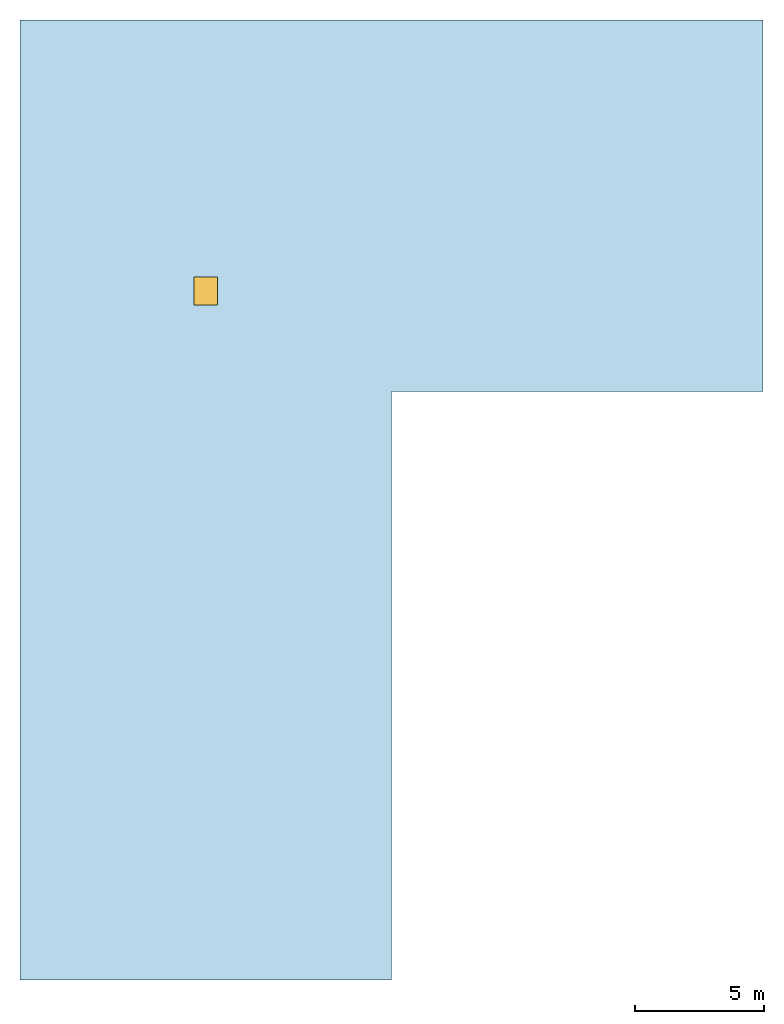
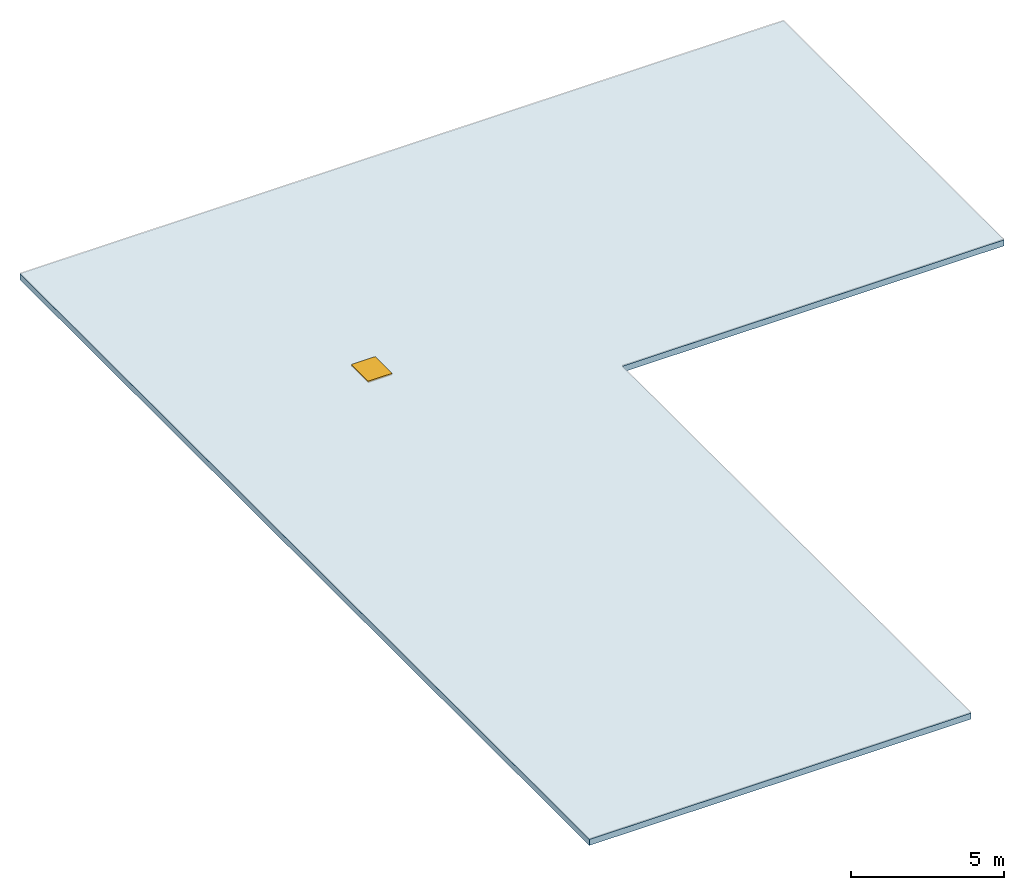
"""IFC4 building model written with IfcOpenShell, lengths in metres."""

from ifc_helpers import new_model, si_unit, direction, frame, origin, origin_2d, place, context, subcontext, project, spatial, polyline, rectangle, outline, extrude, material, layer, layer_set, type_object, element, fill, save


model = new_model("IFC4")

# Units and contexts
model_context = context("Model", 3, precision=1e-05, world=origin(), true_north=direction((0.0, 1.0)))
body_context = subcontext(model_context, "Body", "Model", "MODEL_VIEW")
ifc_project = project(units=[si_unit("LENGTHUNIT", "METRE"), si_unit("AREAUNIT", "SQUARE_METRE"), si_unit("VOLUMEUNIT", "CUBIC_METRE"), si_unit("PLANEANGLEUNIT", "RADIAN"), si_unit("MASSUNIT", "GRAM", prefix="KILO"), si_unit("THERMODYNAMICTEMPERATUREUNIT", "KELVIN")], contexts=[model_context])

# Site, building, storey
site_placement = place(None, origin())
site = spatial("IfcSite", under=ifc_project, at=site_placement, CompositionType="ELEMENT")
building_placement = place(site_placement, origin())
building = spatial("IfcBuilding", under=site, at=building_placement, Name="Thalorik Housing Commons", CompositionType="ELEMENT")
storey_1_placement = place(building_placement, frame((0.0, 0.0, 54.300048828125)))
storey_1 = spatial("IfcBuildingStorey", under=building, at=storey_1_placement, Name="Roof", CompositionType="ELEMENT", Elevation=54.300048828125)

# Slab, opening
ifc_material_1 = material(Name="Precast concrete C45/55", Category="concrete")
ifc_layer = layer(ifc_material_1, 0.239990234375, Name="Precast concrete C45/55", Category="concrete")
ifc_layer_set = layer_set([ifc_layer], Name="Precast concrete C45/55")
slab_type = type_object("IfcSlabType", Name="STR-SLB-ROOF-240", PredefinedType="ROOF", material=ifc_layer_set)
slab_placement = place(storey_1_placement, frame((0.0, 0.0, -0.239990234375)))
slab = element("IfcSlab", 1, at=slab_placement, inside=storey_1, type_object=slab_type, Name="Roof Block A Main Roof Slab", PredefinedType="ROOF", context=body_context, shape_type="SweptSolid", body=[
    extrude(outline(polyline([(22.800048828125, 109.199951171875), (37.199951171875, 109.199951171875), (37.199951171875, 123.60009765625), (8.39990234375, 123.60009765625), (8.39990234375, 109.199951171875), (8.39990234375, 86.39990234375), (22.800048828125, 86.39990234375), (22.800048828125, 109.199951171875)])), origin(), (0.0, 0.0, 1.0), 0.239990234375),
])
opening_placement = place(slab_placement, frame((15.60009765625, 113.10009765625, -0.010009765625)))
opening = element("IfcOpeningElement", 2, at=opening_placement, cuts=slab, Name="Opening RH-A1", PredefinedType="OPENING", context=body_context, shape_type="SweptSolid", body=[
    extrude(rectangle(XDim=0.89990234375, YDim=1.10009765625, at=origin_2d()), origin(), (0.0, 0.0, 1.0), 0.31005859375),
])

# Storey
storey_2_placement = place(building_placement, frame((0.0, 0.0, 51.0)))
storey_2 = spatial("IfcBuildingStorey", under=building, at=storey_2_placement, Name="L15", CompositionType="ELEMENT", Elevation=51.0)

# Door
ifc_material_2 = material(Name="Anodised aluminium and laminated safety glass", Category="aluminium")
door_type = type_object("IfcDoorType", Name="ARC-HT-ROOF-900", OperationType="NOTDEFINED", PredefinedType="TRAPDOOR", material=ifc_material_2)
door_placement = place(opening_placement, frame((0.0, 0.0, 0.25)))
door = element("IfcDoor", 3, at=door_placement, inside=storey_2, type_object=door_type, Name="Roof Block A Maintenance Roof Hatch", OperationType="SINGLE_SWING_LEFT", OverallHeight=1.10009765625, OverallWidth=0.89990234375, PredefinedType="TRAPDOOR", context=body_context, shape_type="SweptSolid", body=[
    extrude(rectangle(XDim=0.89990234375, YDim=1.10009765625, at=origin_2d()), origin(), (0.0, 0.0, 1.0), 0.050048828125),
])

fill(opening, door)

save(model, "model.ifc")
